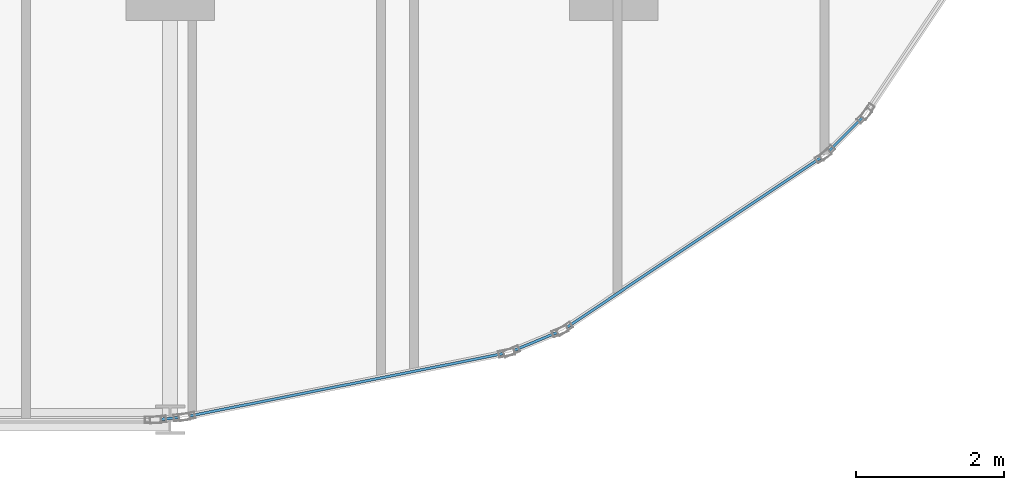
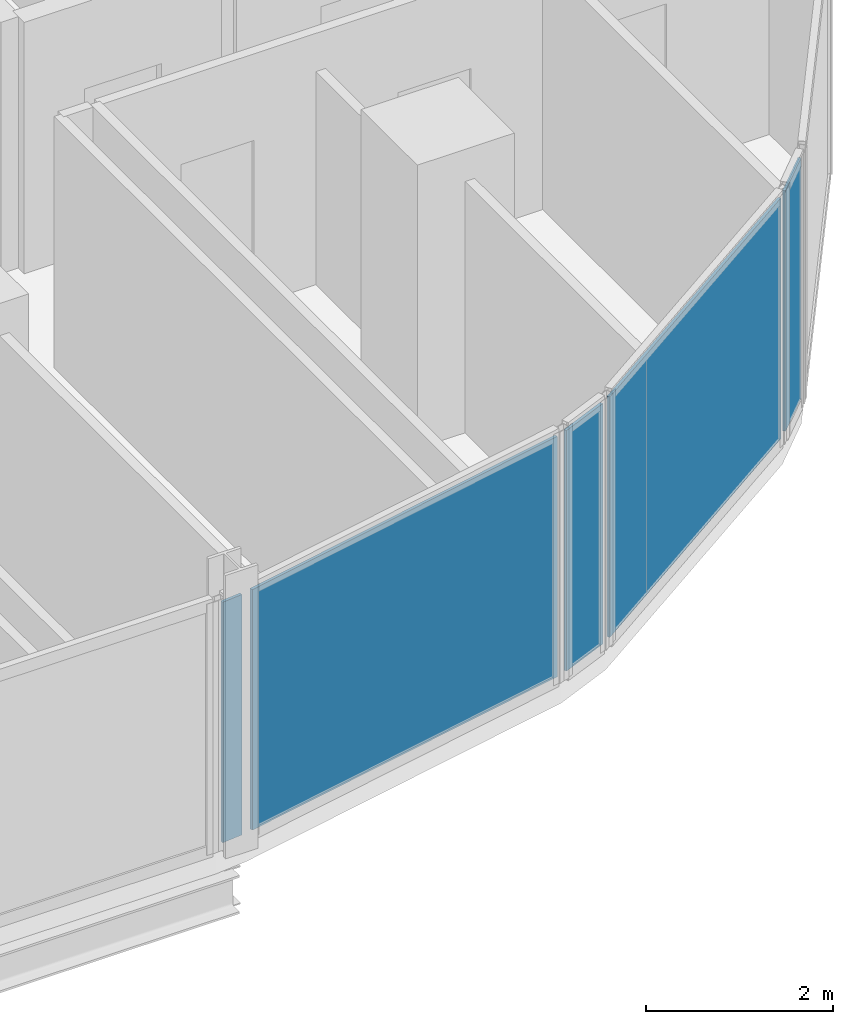
# One storey, part 22 of 34: 5 plates, 5 elements without a shape of their own.
"""IFC4 building model written with IfcOpenShell, lengths in metres."""

from ifc_helpers import new_model, si_unit, direction, frame, origin, origin_2d, place, context, subcontext, project, spatial, rectangle, extrude, material, layer, layer_set, type_object, element, aggregate, save


model = new_model("IFC4")

# Units and contexts
model_context = context("Model", 3, precision=1e-05, world=origin(), true_north=direction((0.0, 1.0)))
body_context = subcontext(model_context, "Body", "Model", "MODEL_VIEW")
ifc_project = project(units=[si_unit("LENGTHUNIT", "METRE"), si_unit("AREAUNIT", "SQUARE_METRE"), si_unit("VOLUMEUNIT", "CUBIC_METRE"), si_unit("PLANEANGLEUNIT", "RADIAN"), si_unit("MASSUNIT", "GRAM", prefix="KILO")], contexts=[model_context])

# Site, building, storey
site_placement = place(None, origin())
site = spatial("IfcSite", under=ifc_project, at=site_placement, CompositionType="ELEMENT")
building_placement = place(site_placement, origin())
building = spatial("IfcBuilding", under=site, at=building_placement, Name="Keshet Zoharim Tower", CompositionType="ELEMENT")
storey_placement = place(building_placement, frame((0.0, 0.0, 77.5)))
storey = spatial("IfcBuildingStorey", under=building, at=storey_placement, Name="L18", CompositionType="ELEMENT", Elevation=77.5)

# Curtain wall, plate
ifc_material_1 = material(Name="Aluminium 6063-T6", Category="aluminium")
ifc_layer_1 = layer(ifc_material_1, 0.179931640625)
ifc_layer_set_1 = layer_set([ifc_layer_1], Name="Aluminium 6063-T6")
curtain_wall_type = type_object("IfcCurtainWallType", Name="CW-SYS-01", PredefinedType="NOTDEFINED", material=ifc_layer_set_1)
curtain_wall_1_placement = place(storey_placement, origin())
curtain_wall_1 = element("IfcCurtainWall", 1, at=curtain_wall_1_placement, inside=storey, type_object=curtain_wall_type, Name="L18 Unitised Curtain Wall 21", PredefinedType="NOTDEFINED")
ifc_material_2 = material(Name="Insulated Low-E Clear Glass", Category="glass")
ifc_layer_2 = layer(ifc_material_2, 0.035888671875)
ifc_layer_set_2 = layer_set([ifc_layer_2], Name="Insulated Low-E Clear Glass")
plate_type = type_object("IfcPlateType", Name="CWP-01", PredefinedType="CURTAIN_PANEL", material=ifc_layer_set_2)
plate_1_placement = place(storey_placement, frame((66.137451171875, 4.5625, 0.06982421875), z_axis=(0.0, 0.0, 1.0), x_axis=(-0.707106781187, -0.707106781187, 0.0)))
plate_1 = element("IfcPlate", 2, at=plate_1_placement, type_object=plate_type, Name="CW-01 panel 1.1", PredefinedType="CURTAIN_PANEL", context=body_context, shape_type="SweptSolid", body=[
    extrude(rectangle(XDim=0.63916015625, YDim=0.035888671875, at=origin_2d()), origin(), (0.0, 0.0, 1.0), 3.139892578125),
])
aggregate(curtain_wall_1, [plate_1])

curtain_wall_2_placement = place(storey_placement, origin())
curtain_wall_2 = element("IfcCurtainWall", 3, at=curtain_wall_2_placement, inside=storey, type_object=curtain_wall_type, Name="L18 Unitised Curtain Wall 22", PredefinedType="NOTDEFINED")
plate_2_placement = place(storey_placement, frame((64.083984375, 3.09912109375, 0.06982421875), z_axis=(0.0, 0.0, 1.0), x_axis=(-0.831474282335, -0.555563243758, 0.0)))
plate_2 = element("IfcPlate", 4, at=plate_2_placement, type_object=plate_type, Name="CW-01 panel 1.1", PredefinedType="CURTAIN_PANEL", context=body_context, shape_type="SweptSolid", body=[
    extrude(rectangle(XDim=4.13671875, YDim=0.035888671875, at=origin_2d()), origin(), (0.0, 0.0, 1.0), 3.139892578125),
])
aggregate(curtain_wall_2, [plate_2])

curtain_wall_3_placement = place(storey_placement, origin())
curtain_wall_3 = element("IfcCurtainWall", 5, at=curtain_wall_3_placement, inside=storey, type_object=curtain_wall_type, Name="L18 Unitised Curtain Wall 23", PredefinedType="NOTDEFINED")
plate_3_placement = place(storey_placement, frame((61.945556640625, 1.761474609375, 0.06982421875), z_axis=(0.0, 0.0, 1.0), x_axis=(-0.923720000557, -0.383068349739, 0.0)))
plate_3 = element("IfcPlate", 6, at=plate_3_placement, type_object=plate_type, Name="CW-01 panel 1.1", PredefinedType="CURTAIN_PANEL", context=body_context, shape_type="SweptSolid", body=[
    extrude(rectangle(XDim=0.640625, YDim=0.035888671875, at=origin_2d()), origin(), (0.0, 0.0, 1.0), 3.139892578125),
])
aggregate(curtain_wall_3, [plate_3])

curtain_wall_4_placement = place(storey_placement, origin())
curtain_wall_4 = element("IfcCurtainWall", 7, at=curtain_wall_4_placement, inside=storey, type_object=curtain_wall_type, Name="L18 Unitised Curtain Wall 24", PredefinedType="NOTDEFINED")
plate_4_placement = place(storey_placement, frame((59.388916015625, 1.175048828125, 0.06982421875), z_axis=(0.0, 0.0, 1.0), x_axis=(-0.98076917357, -0.195171279072, 0.0)))
plate_4 = element("IfcPlate", 8, at=plate_4_placement, type_object=plate_type, Name="CW-01 panel 1.1", PredefinedType="CURTAIN_PANEL", context=body_context, shape_type="SweptSolid", body=[
    extrude(rectangle(XDim=4.338134765625, YDim=0.035888671875, at=origin_2d()), origin(), (0.0, 0.0, 1.0), 3.139892578125),
])
aggregate(curtain_wall_4, [plate_4])

curtain_wall_5_placement = place(storey_placement, origin())
curtain_wall_5 = element("IfcCurtainWall", 9, at=curtain_wall_5_placement, inside=storey, type_object=curtain_wall_type, Name="L18 Unitised Curtain Wall 25", PredefinedType="NOTDEFINED")
plate_5_placement = place(storey_placement, frame((56.998046875, 0.718994140625, 0.06982421875), z_axis=(0.0, 0.0, 1.0), x_axis=(-0.995286657009, -0.096976648633, 0.0)))
plate_5 = element("IfcPlate", 10, at=plate_5_placement, type_object=plate_type, Name="CW-01 panel 1.1", PredefinedType="CURTAIN_PANEL", context=body_context, shape_type="SweptSolid", body=[
    extrude(rectangle(XDim=0.251953125, YDim=0.035888671875, at=origin_2d()), origin(), (0.0, 0.0, 1.0), 3.139892578125),
])
aggregate(curtain_wall_5, [plate_5])

save(model, "model.ifc")
